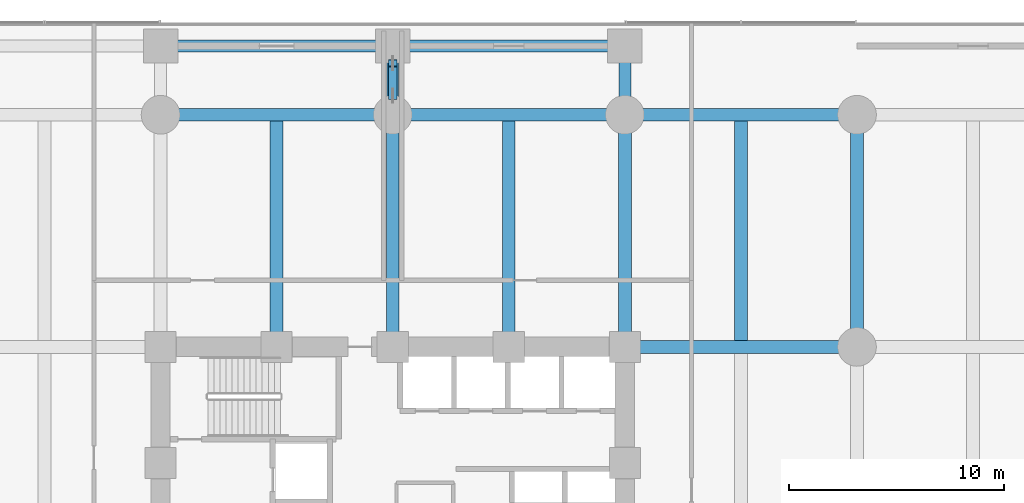
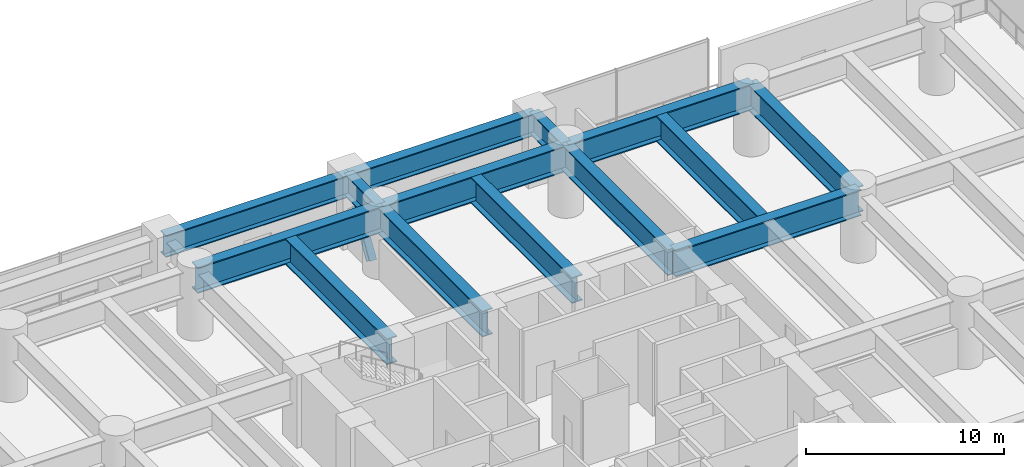
# One storey, part 16 of 37: 14 beams, 1 member.
"""IFC4 building model written with IfcOpenShell, lengths in metres."""

from ifc_helpers import new_model, si_unit, direction, frame, origin, origin_2d, place, context, subcontext, project, spatial, i_section, extrude, material, material_profile, profile_set, type_object, element, save


model = new_model("IFC4")

# Units and contexts
model_context = context("Model", 3, precision=1e-05, world=origin(), true_north=direction((0.0, 1.0)))
body_context = subcontext(model_context, "Body", "Model", "MODEL_VIEW")
ifc_project = project(units=[si_unit("LENGTHUNIT", "METRE"), si_unit("AREAUNIT", "SQUARE_METRE"), si_unit("VOLUMEUNIT", "CUBIC_METRE"), si_unit("PLANEANGLEUNIT", "RADIAN"), si_unit("MASSUNIT", "GRAM", prefix="KILO")], contexts=[model_context])

# Site, building, storey
site_placement = place(None, origin())
site = spatial("IfcSite", under=ifc_project, at=site_placement, CompositionType="ELEMENT")
building_placement = place(site_placement, origin())
building = spatial("IfcBuilding", under=site, at=building_placement, Name="Surkhivell Harbour Commons", CompositionType="ELEMENT")
storey_placement = place(building_placement, frame((0.0, 0.0, 18.0)))
storey = spatial("IfcBuildingStorey", under=building, at=storey_placement, Name="L04", CompositionType="ELEMENT", Elevation=18.0)

# Beams
ifc_material = material(Name="Steel S460", Category="steel")
ifc_material_profile_1 = material_profile(ifc_material, i_section(OverallWidth=0.550048828125, OverallDepth=1.35009765625, WebThickness=0.031982421875, FlangeThickness=0.06005859375, at=origin_2d()), Name="WPG1350x550x248")
ifc_profile_set_1 = profile_set([ifc_material_profile_1], Name="Steel S460")
beam_type_1 = type_object("IfcBeamType", Name="BM-TRF-1350", PredefinedType="BEAM", material=ifc_profile_set_1)
beam_1_placement = place(storey_placement, frame((-10.800048828125, 24.800048828125, 3.405029296875), z_axis=(1.0, 0.0, 0.0), x_axis=(0.0, 1.0, 0.0)))
element("IfcBeam", 1, at=beam_1_placement, inside=storey, type_object=beam_type_1, Name="L04 Transfer Girder (-10.8,24.8)", PredefinedType="BEAM", context=body_context, shape_type="SweptSolid", body=[
    extrude(i_section(OverallWidth=0.550048828125, OverallDepth=1.35009765625, WebThickness=0.031982421875, FlangeThickness=0.06005859375, at=origin_2d()), origin(), (0.0, 0.0, 1.0), 10.800048828125),
])
beam_2_placement = place(storey_placement, frame((0.0, 21.60009765625, 3.405029296875), z_axis=(0.0, 1.0, 0.0), x_axis=(-1.0, 0.0, 0.0)))
element("IfcBeam", 2, at=beam_2_placement, inside=storey, type_object=beam_type_1, Name="L04 Transfer Girder (0.0,21.6)", PredefinedType="BEAM", context=body_context, shape_type="SweptSolid", body=[
    extrude(i_section(OverallWidth=0.550048828125, OverallDepth=1.35009765625, WebThickness=0.031982421875, FlangeThickness=0.06005859375, at=origin_2d()), origin(), (0.0, 0.0, 1.0), 3.199951171875),
])
beam_3_placement = place(storey_placement, frame((0.0, 24.800048828125, 3.405029296875), z_axis=(1.0, 0.0, 0.0), x_axis=(0.0, 1.0, 0.0)))
element("IfcBeam", 3, at=beam_3_placement, inside=storey, type_object=beam_type_1, Name="L04 Transfer Girder (0.0,24.8)", PredefinedType="BEAM", context=body_context, shape_type="SweptSolid", body=[
    extrude(i_section(OverallWidth=0.550048828125, OverallDepth=1.35009765625, WebThickness=0.031982421875, FlangeThickness=0.06005859375, at=origin_2d()), origin(), (0.0, 0.0, 1.0), 10.800048828125),
])
beam_4_placement = place(storey_placement, frame((10.800048828125, 21.60009765625, 3.405029296875), z_axis=(0.0, 1.0, 0.0), x_axis=(-1.0, 0.0, 0.0)))
element("IfcBeam", 4, at=beam_4_placement, inside=storey, type_object=beam_type_1, Name="L04 Transfer Girder (10.8,21.6)", PredefinedType="BEAM", context=body_context, shape_type="SweptSolid", body=[
    extrude(i_section(OverallWidth=0.550048828125, OverallDepth=1.35009765625, WebThickness=0.031982421875, FlangeThickness=0.06005859375, at=origin_2d()), origin(), (0.0, 0.0, 1.0), 3.199951171875),
])
ifc_material_profile_2 = material_profile(ifc_material, i_section(OverallWidth=0.60009765625, OverallDepth=1.60009765625, WebThickness=0.035888671875, FlangeThickness=0.06494140625, at=origin_2d()), Name="WPG1600x600x296")
ifc_profile_set_2 = profile_set([ifc_material_profile_2], Name="Steel S460")
beam_type_2 = type_object("IfcBeamType", Name="BM-TRF-1600", PredefinedType="BEAM", material=ifc_profile_set_2)
for number, where, z_axis, x_axis, name in (
    (5, (-10.800048828125, 21.60009765625, 3.280029296875), (1.0, 0.0, 0.0), (0.0, 1.0, 0.0), "L04 Transfer Girder (-10.8,21.6)"),
    (6, (0.0, 10.800048828125, 3.280029296875), (0.0, 1.0, 0.0), (-1.0, 0.0, 0.0), "L04 Transfer Girder (0.0,10.8)"),
    (7, (0.0, 21.60009765625, 3.280029296875), (1.0, 0.0, 0.0), (0.0, 1.0, 0.0), "L04 Transfer Girder (0.0,21.6)"),
    (8, (10.800048828125, 10.800048828125, 3.280029296875), (0.0, 1.0, 0.0), (-1.0, 0.0, 0.0), "L04 Transfer Girder (10.8,10.8)"),
    (9, (10.800048828125, 10.800048828125, 3.280029296875), (1.0, 0.0, 0.0), (0.0, 1.0, 0.0), "L04 Transfer Girder (10.8,10.8)"),
    (10, (10.800048828125, 21.60009765625, 3.280029296875), (1.0, 0.0, 0.0), (0.0, 1.0, 0.0), "L04 Transfer Girder (10.8,21.6)"),
    (11, (21.60009765625, 10.800048828125, 3.280029296875), (0.0, 1.0, 0.0), (-1.0, 0.0, 0.0), "L04 Transfer Girder (21.6,10.8)"),
):
    element("IfcBeam", number, at=place(storey_placement, frame(where, z_axis=z_axis, x_axis=x_axis)), inside=storey, type_object=beam_type_2, Name=name, PredefinedType="BEAM", context=body_context, shape_type="SweptSolid", body=[
        extrude(i_section(OverallWidth=0.60009765625, OverallDepth=1.60009765625, WebThickness=0.035888671875, FlangeThickness=0.06494140625, at=origin_2d()), origin(), (0.0, 0.0, 1.0), 10.800048828125),
    ])
for number, where, z_axis, x_axis, name in (
    (12, (-5.39990234375, 11.097900390625, 3.280029296875), (0.0, 1.0, 0.0), (-1.0, 0.0, 0.0), "L04 Secondary Transfer Girder (-5.4,10.8)"),
    (13, (5.39990234375, 11.097900390625, 3.280029296875), (0.0, 1.0, 0.0), (-1.0, 0.0, 0.0), "L04 Secondary Transfer Girder (5.4,10.8)"),
    (14, (16.199951171875, 11.097900390625, 3.280029296875), (0.0, 1.0, 0.0), (-1.0, 0.0, 0.0), "L04 Secondary Transfer Girder (16.2,10.8)"),
):
    element("IfcBeam", number, at=place(storey_placement, frame(where, z_axis=z_axis, x_axis=x_axis)), inside=storey, type_object=beam_type_2, Name=name, PredefinedType="BEAM", context=body_context, shape_type="SweptSolid", body=[
        extrude(i_section(OverallWidth=0.60009765625, OverallDepth=1.60009765625, WebThickness=0.035888671875, FlangeThickness=0.06494140625, at=origin_2d()), origin(), (0.0, 0.0, 1.0), 10.2041015625),
    ])

# Member
ifc_material_profile_3 = material_profile(ifc_material, i_section(OverallWidth=0.406005859375, OverallDepth=0.416015625, WebThickness=0.026611328125, FlangeThickness=0.0390625, at=origin_2d()), Name="HD400x382")
ifc_profile_set_3 = profile_set([ifc_material_profile_3], Name="Steel S460")
member_type = type_object("IfcMemberType", Name="MEM-BRC-HD382", PredefinedType="BRACE", material=ifc_profile_set_3)
member_placement = place(storey_placement, frame((0.0, 22.49609375, 0.010009765625), z_axis=(0.0, 0.51798197074, 0.855391534906), x_axis=(-1.0, 0.0, 0.0)))
element("IfcMember", 15, at=member_placement, inside=storey, type_object=member_type, Name="L04 Transfer Truss Diagonal TD-01", PredefinedType="BRACE", context=body_context, shape_type="SweptSolid", body=[
    extrude(i_section(OverallWidth=0.406005859375, OverallDepth=0.416015625, WebThickness=0.026611328125, FlangeThickness=0.0390625, at=origin_2d()), origin(), (0.0, 0.0, 1.0), 2.910888671875),
])

save(model, "model.ifc")
